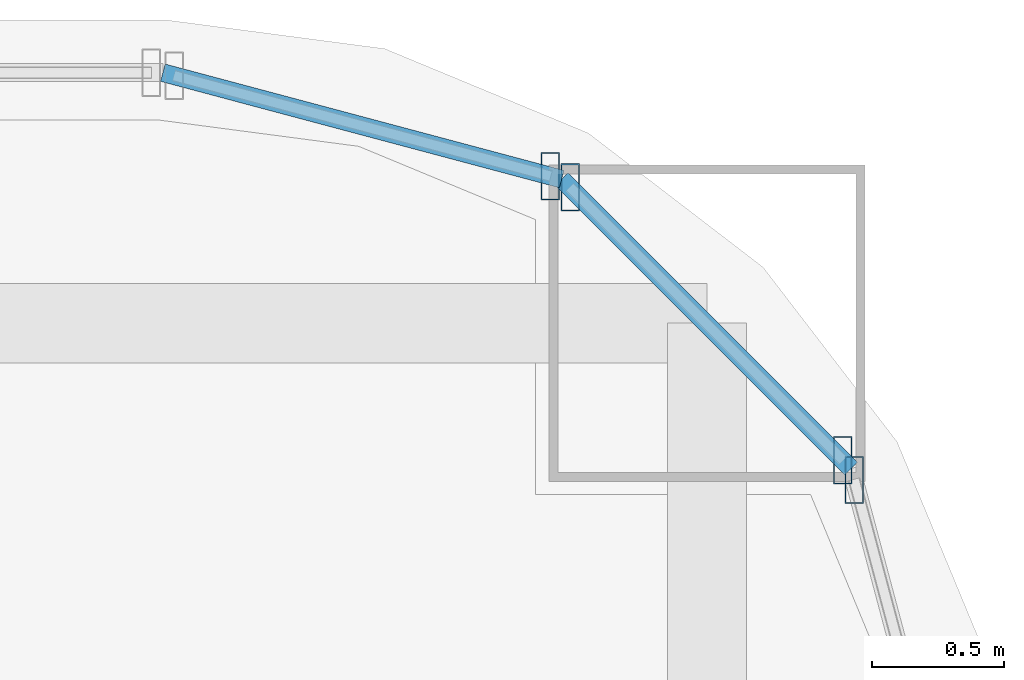
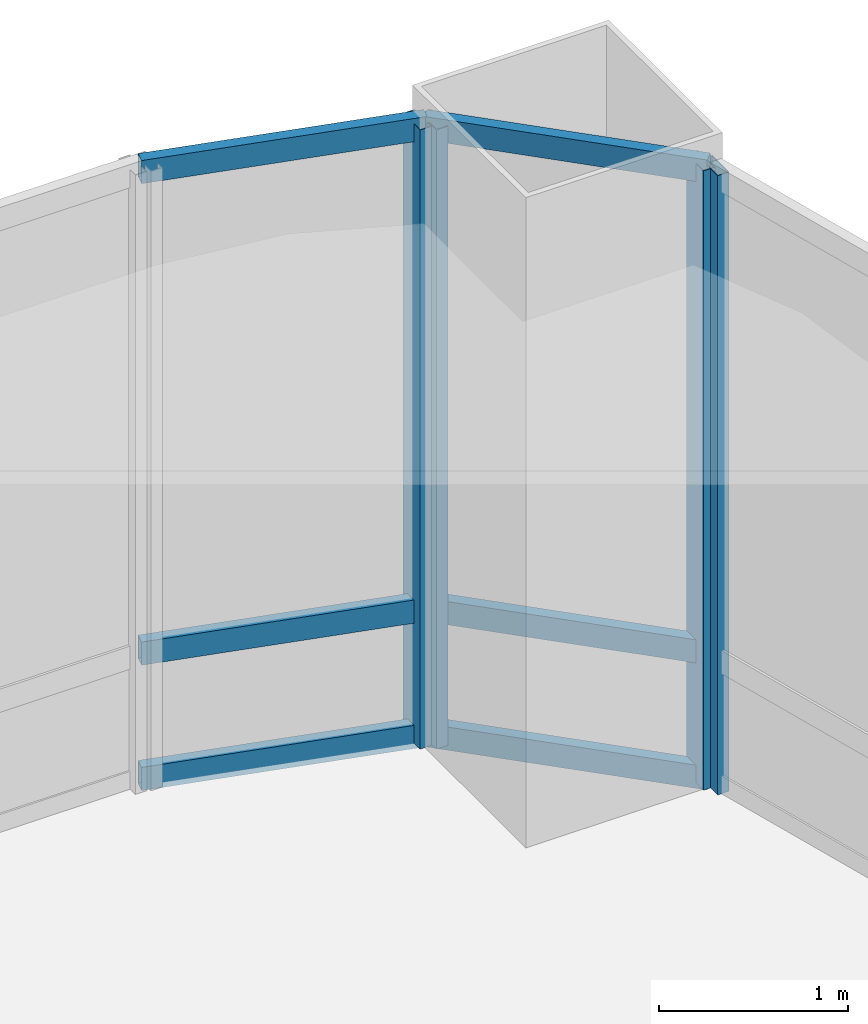
# One storey, part 32 of 42: 10 members, 3 elements without a shape of their own.
"""IFC4 building model written with IfcOpenShell, lengths in metres."""

from ifc_helpers import new_model, si_unit, direction, frame, origin, origin_2d, place, context, subcontext, project, spatial, hollow_rectangle, extrude, material, material_profile, profile_set, type_object, element, aggregate, save


model = new_model("IFC4")

# Units and contexts
model_context = context("Model", 3, precision=1e-05, world=origin(), true_north=direction((0.0, 1.0)))
body_context = subcontext(model_context, "Body", "Model", "MODEL_VIEW")
ifc_project = project(units=[si_unit("LENGTHUNIT", "METRE"), si_unit("AREAUNIT", "SQUARE_METRE"), si_unit("VOLUMEUNIT", "CUBIC_METRE"), si_unit("PLANEANGLEUNIT", "RADIAN"), si_unit("MASSUNIT", "GRAM", prefix="KILO")], contexts=[model_context])

# Site, building, storey
site_placement = place(None, origin())
site = spatial("IfcSite", under=ifc_project, at=site_placement, CompositionType="ELEMENT")
building_placement = place(site_placement, origin())
building = spatial("IfcBuilding", under=site, at=building_placement, Name="Punatoya Terracotta Tower", CompositionType="ELEMENT")
storey_placement = place(building_placement, frame((0.0, 0.0, 325.800048828125)))
storey = spatial("IfcBuildingStorey", under=building, at=storey_placement, Name="L77", CompositionType="ELEMENT", Elevation=325.800048828125)

# Curtain wall, member
ifc_material_1 = material(Name="Aluminium 6063-T6 + Double Low-E Glass", Category="aluminium")
curtain_wall_type = type_object("IfcCurtainWallType", Name="CW-OBS", PredefinedType="NOTDEFINED", material=ifc_material_1)
curtain_wall_1_placement = place(storey_placement, origin())
curtain_wall_1 = element("IfcCurtainWall", 1, at=curtain_wall_1_placement, inside=storey, type_object=curtain_wall_type, Name="L77 Curtain Wall CW-L77-CRN06", PredefinedType="NOTDEFINED")
ifc_material_2 = material(Name="Aluminium 6063-T6", Category="aluminium")
ifc_material_profile_1 = material_profile(ifc_material_2, hollow_rectangle(XDim=0.070068359375, YDim=0.179931640625, WallThickness=0.00390625, at=origin_2d()))
ifc_profile_set_1 = profile_set([ifc_material_profile_1], Name="Aluminium 6063-T6")
member_type_1 = type_object("IfcMemberType", Name="CW-MUL-M3", PredefinedType="MULLION", material=ifc_profile_set_1)
member_1_placement = place(storey_placement, frame((19.658203125, 16.905517578125, 0.0), z_axis=(0.0, 0.0, 1.0), x_axis=(1.0, 0.0, 0.0)))
member_1 = element("IfcMember", 2, at=member_1_placement, type_object=member_type_1, Name="CW-L77-CRN06 Mullion 01", PredefinedType="MULLION", context=body_context, shape_type="SweptSolid", body=[
    extrude(hollow_rectangle(XDim=0.070068359375, YDim=0.179931640625, WallThickness=0.00390625, at=origin_2d()), origin(), (0.0, 0.0, 1.0), 4.0),
])
aggregate(curtain_wall_1, [member_1])

# Curtain wall, members
curtain_wall_2_placement = place(storey_placement, origin())
curtain_wall_2 = element("IfcCurtainWall", 3, at=curtain_wall_2_placement, inside=storey, type_object=curtain_wall_type, Name="L77 Curtain Wall CW-L77-CRN07", PredefinedType="NOTDEFINED")
member_2_placement = place(storey_placement, frame((19.61474609375, 16.98095703125, 0.0), z_axis=(0.0, 0.0, 1.0), x_axis=(1.0, 0.0, 0.0)))
member_2 = element("IfcMember", 4, at=member_2_placement, type_object=member_type_1, Name="CW-L77-CRN07 Mullion 00", PredefinedType="MULLION", context=body_context, shape_type="SweptSolid", body=[
    extrude(hollow_rectangle(XDim=0.070068359375, YDim=0.179931640625, WallThickness=0.00390625, at=origin_2d()), origin(), (0.0, 0.0, 1.0), 4.0),
])
member_3_placement = place(storey_placement, frame((18.580810546875, 18.014892578125, 0.0), z_axis=(0.0, 0.0, 1.0), x_axis=(1.0, 0.0, 0.0)))
member_3 = element("IfcMember", 5, at=member_3_placement, type_object=member_type_1, Name="CW-L77-CRN07 Mullion 01", PredefinedType="MULLION", context=body_context, shape_type="SweptSolid", body=[
    extrude(hollow_rectangle(XDim=0.070068359375, YDim=0.179931640625, WallThickness=0.00390625, at=origin_2d()), origin(), (0.0, 0.0, 1.0), 4.0),
])

# Curtain wall, member
curtain_wall_3_placement = place(storey_placement, origin())
curtain_wall_3 = element("IfcCurtainWall", 6, at=curtain_wall_3_placement, inside=storey, type_object=curtain_wall_type, Name="L77 Curtain Wall CW-L77-CRN08", PredefinedType="NOTDEFINED")
member_4_placement = place(storey_placement, frame((18.505615234375, 18.05810546875, 0.0), z_axis=(0.0, 0.0, 1.0), x_axis=(1.0, 0.0, 0.0)))
member_4 = element("IfcMember", 7, at=member_4_placement, type_object=member_type_1, Name="CW-L77-CRN08 Mullion 00", PredefinedType="MULLION", context=body_context, shape_type="SweptSolid", body=[
    extrude(hollow_rectangle(XDim=0.070068359375, YDim=0.179931640625, WallThickness=0.00390625, at=origin_2d()), origin(), (0.0, 0.0, 1.0), 4.0),
])

# Member
ifc_material_profile_2 = material_profile(ifc_material_2, hollow_rectangle(XDim=0.068115234375, YDim=0.14990234375, WallThickness=0.00390625, at=origin_2d()))
ifc_profile_set_2 = profile_set([ifc_material_profile_2], Name="Aluminium 6063-T6")
member_type_2 = type_object("IfcMemberType", Name="CW-TRN-TYP", PredefinedType="USERDEFINED", material=ifc_profile_set_2)
member_5_placement = place(storey_placement, frame((19.646484375, 16.94921875, 0.0400390625), z_axis=(-0.707106781187, 0.707106781187, 0.0), x_axis=(-0.707106781187, -0.707106781187, 0.0)))
member_5 = element("IfcMember", 8, at=member_5_placement, type_object=member_type_2, Name="CW-L77-CRN07 Transom 1", ObjectType="TRANSOM", PredefinedType="USERDEFINED", context=body_context, shape_type="SweptSolid", body=[
    extrude(hollow_rectangle(XDim=0.068115234375, YDim=0.14990234375, WallThickness=0.00390625, at=origin_2d()), origin(), (0.0, 0.0, 1.0), 1.552001953125),
])

member_6_placement = place(storey_placement, frame((19.646484375, 16.94921875, 0.849853515625), z_axis=(-0.707106781187, 0.707106781187, 0.0), x_axis=(-0.707106781187, -0.707106781187, 0.0)))
member_6 = element("IfcMember", 9, at=member_6_placement, type_object=member_type_2, Name="CW-L77-CRN07 Transom 2", ObjectType="TRANSOM", PredefinedType="USERDEFINED", context=body_context, shape_type="SweptSolid", body=[
    extrude(hollow_rectangle(XDim=0.068115234375, YDim=0.14990234375, WallThickness=0.00390625, at=origin_2d()), origin(), (0.0, 0.0, 1.0), 1.552001953125),
])

member_7_placement = place(storey_placement, frame((19.646484375, 16.94921875, 3.9599609375), z_axis=(-0.707106781187, 0.707106781187, 0.0), x_axis=(-0.707106781187, -0.707106781187, 0.0)))
member_7 = element("IfcMember", 10, at=member_7_placement, type_object=member_type_2, Name="CW-L77-CRN07 Transom 3", ObjectType="TRANSOM", PredefinedType="USERDEFINED", context=body_context, shape_type="SweptSolid", body=[
    extrude(hollow_rectangle(XDim=0.068115234375, YDim=0.14990234375, WallThickness=0.00390625, at=origin_2d()), origin(), (0.0, 0.0, 1.0), 1.552001953125),
])

aggregate(curtain_wall_2, [member_2, member_3, member_5, member_6, member_7])

member_8_placement = place(storey_placement, frame((18.549072265625, 18.046630859375, 0.0400390625), z_axis=(-0.966224582397, 0.257701486942, 0.0), x_axis=(-0.257701486942, -0.966224582397, 0.0)))
member_8 = element("IfcMember", 11, at=member_8_placement, type_object=member_type_2, Name="CW-L77-CRN08 Transom 1", ObjectType="TRANSOM", PredefinedType="USERDEFINED", context=body_context, shape_type="SweptSolid", body=[
    extrude(hollow_rectangle(XDim=0.068115234375, YDim=0.14990234375, WallThickness=0.00390625, at=origin_2d()), origin(), (0.0, 0.0, 1.0), 1.565185546875),
])

member_9_placement = place(storey_placement, frame((18.549072265625, 18.046630859375, 0.849853515625), z_axis=(-0.966224582397, 0.257701486942, 0.0), x_axis=(-0.257701486942, -0.966224582397, 0.0)))
member_9 = element("IfcMember", 12, at=member_9_placement, type_object=member_type_2, Name="CW-L77-CRN08 Transom 2", ObjectType="TRANSOM", PredefinedType="USERDEFINED", context=body_context, shape_type="SweptSolid", body=[
    extrude(hollow_rectangle(XDim=0.068115234375, YDim=0.14990234375, WallThickness=0.00390625, at=origin_2d()), origin(), (0.0, 0.0, 1.0), 1.565185546875),
])

member_10_placement = place(storey_placement, frame((18.549072265625, 18.046630859375, 3.9599609375), z_axis=(-0.966224582397, 0.257701486942, 0.0), x_axis=(-0.257701486942, -0.966224582397, 0.0)))
member_10 = element("IfcMember", 13, at=member_10_placement, type_object=member_type_2, Name="CW-L77-CRN08 Transom 3", ObjectType="TRANSOM", PredefinedType="USERDEFINED", context=body_context, shape_type="SweptSolid", body=[
    extrude(hollow_rectangle(XDim=0.068115234375, YDim=0.14990234375, WallThickness=0.00390625, at=origin_2d()), origin(), (0.0, 0.0, 1.0), 1.565185546875),
])

aggregate(curtain_wall_3, [member_4, member_8, member_9, member_10])

save(model, "model.ifc")
